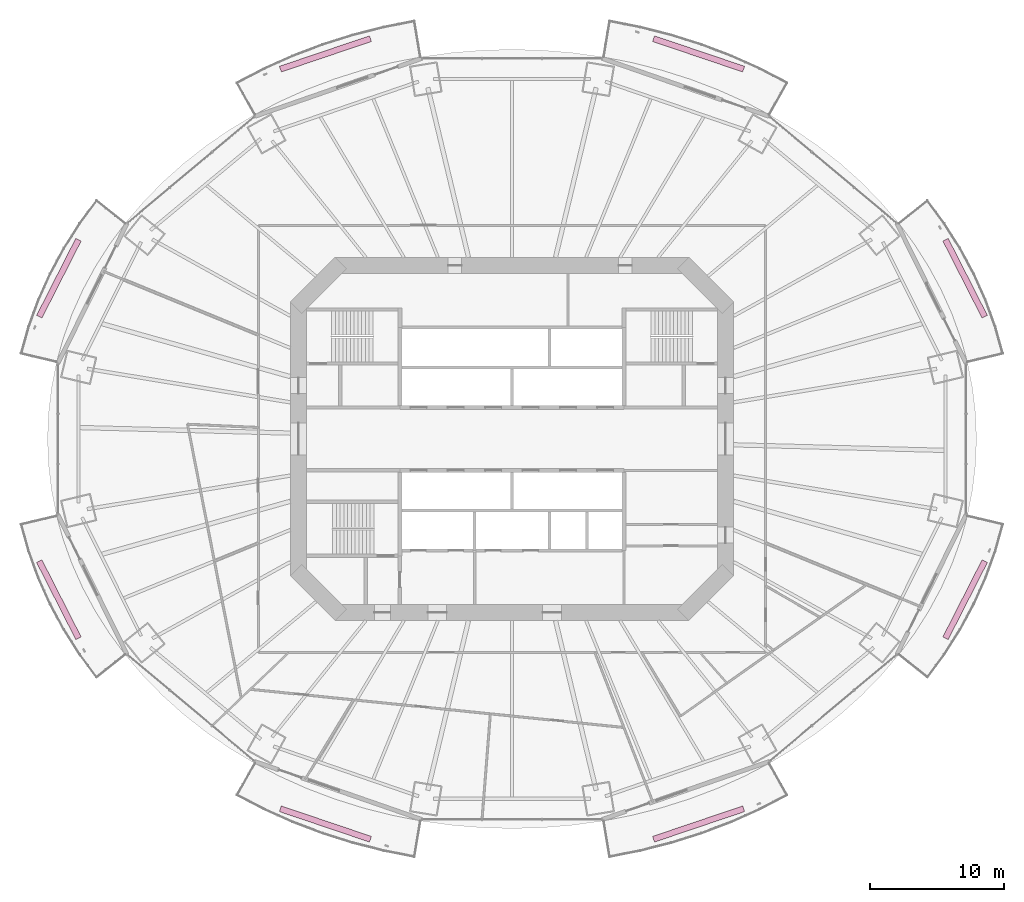
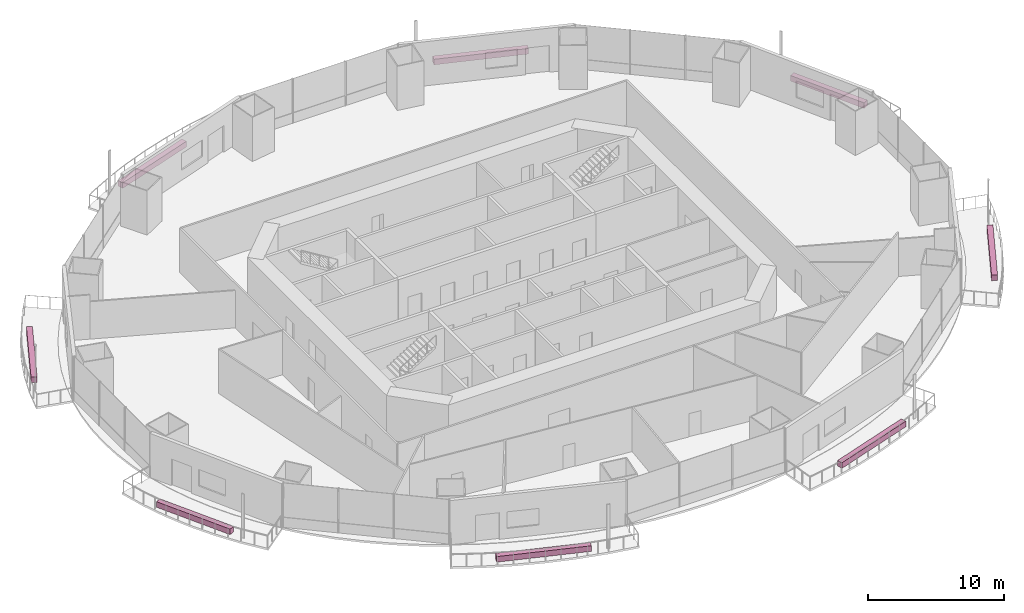
# One storey, part 22 of 22: 8 furnishings.
"""IFC4 building model written with IfcOpenShell, lengths in metres."""

from ifc_helpers import new_model, si_unit, direction, frame, origin, origin_2d, place, context, subcontext, project, spatial, rectangle, extrude, material, type_object, element, save


model = new_model("IFC4")

# Units and contexts
model_context = context("Model", 3, precision=1e-05, world=origin(), true_north=direction((0.0, 1.0)))
body_context = subcontext(model_context, "Body", "Model", "MODEL_VIEW")
ifc_project = project(units=[si_unit("LENGTHUNIT", "METRE"), si_unit("AREAUNIT", "SQUARE_METRE"), si_unit("VOLUMEUNIT", "CUBIC_METRE"), si_unit("PLANEANGLEUNIT", "RADIAN"), si_unit("MASSUNIT", "GRAM", prefix="KILO")], contexts=[model_context])

# Site, building, storey
site_placement = place(None, origin())
site = spatial("IfcSite", under=ifc_project, at=site_placement, CompositionType="ELEMENT")
building_placement = place(site_placement, origin())
building = spatial("IfcBuilding", under=site, at=building_placement, Name="Marenthal Gate Tower", CompositionType="ELEMENT")
storey_placement = place(building_placement, frame((0.0, 0.0, 99.39990234375)))
storey = spatial("IfcBuildingStorey", under=building, at=storey_placement, Name="L20", CompositionType="ELEMENT", Elevation=99.39990234375)

# Furnishings
ifc_material = material(Name="Planting soil and foliage", Category="planting")
furnishing_element_type = type_object("IfcFurnishingElementType", Name="Balcony PLANTER trough", material=ifc_material)
furnishing_1_placement = place(storey_placement, frame((33.932861328125, 12.038818359375, -0.039794921875), z_axis=(0.0, 0.0, 1.0), x_axis=(-0.453646324581, 0.891181806476, 0.0)))
element("IfcFurnishingElement", 1, at=furnishing_1_placement, inside=storey, type_object=furnishing_element_type, Name="Balcony PLANTER L20 bay 1", ObjectType="PLANTER", context=body_context, shape_type="SweptSolid", body=[
    extrude(rectangle(XDim=6.4755859375, YDim=0.449951171875, at=origin_2d()), origin(), (0.0, 0.0, 1.0), 0.5),
])
for number, where, z_axis, x_axis, name in (
    (2, (13.9736328125, 28.834716796875, -0.039794921875), (0.0, 0.0, 1.0), (-0.947306804178, 0.320327674043, 0.0), "Balcony PLANTER L20 bay 3"),
    (3, (-13.9736328125, 28.834716796875, -0.039794921875), (0.0, 0.0, 1.0), (-0.947306804178, -0.320327674043, 0.0), "Balcony PLANTER L20 bay 5"),
):
    element("IfcFurnishingElement", number, at=place(storey_placement, frame(where, z_axis=z_axis, x_axis=x_axis)), inside=storey, type_object=furnishing_element_type, Name=name, ObjectType="PLANTER", context=body_context, shape_type="SweptSolid", body=[
        extrude(rectangle(XDim=7.118896484375, YDim=0.449951171875, at=origin_2d()), origin(), (0.0, 0.0, 1.0), 0.5),
    ])
for number, where, z_axis, x_axis, name in (
    (4, (-33.932861328125, 12.038818359375, -0.039794921875), (0.0, 0.0, 1.0), (-0.453646324581, -0.891181806476, 0.0), "Balcony PLANTER L20 bay 7"),
    (5, (-33.932861328125, -12.038818359375, -0.039794921875), (0.0, 0.0, 1.0), (0.453646324581, -0.891181806476, 0.0), "Balcony PLANTER L20 bay 9"),
):
    element("IfcFurnishingElement", number, at=place(storey_placement, frame(where, z_axis=z_axis, x_axis=x_axis)), inside=storey, type_object=furnishing_element_type, Name=name, ObjectType="PLANTER", context=body_context, shape_type="SweptSolid", body=[
        extrude(rectangle(XDim=6.4755859375, YDim=0.449951171875, at=origin_2d()), origin(), (0.0, 0.0, 1.0), 0.5),
    ])
for number, where, z_axis, x_axis, name in (
    (6, (-13.9736328125, -28.834716796875, -0.039794921875), (0.0, 0.0, 1.0), (0.947306804178, -0.320327674043, 0.0), "Balcony PLANTER L20 bay 11"),
    (7, (13.9736328125, -28.834716796875, -0.039794921875), (0.0, 0.0, 1.0), (0.947306804178, 0.320327674043, 0.0), "Balcony PLANTER L20 bay 13"),
):
    element("IfcFurnishingElement", number, at=place(storey_placement, frame(where, z_axis=z_axis, x_axis=x_axis)), inside=storey, type_object=furnishing_element_type, Name=name, ObjectType="PLANTER", context=body_context, shape_type="SweptSolid", body=[
        extrude(rectangle(XDim=7.118896484375, YDim=0.449951171875, at=origin_2d()), origin(), (0.0, 0.0, 1.0), 0.5),
    ])
furnishing_2_placement = place(storey_placement, frame((33.932861328125, -12.038818359375, -0.039794921875), z_axis=(0.0, 0.0, 1.0), x_axis=(0.453646324581, 0.891181806476, 0.0)))
element("IfcFurnishingElement", 8, at=furnishing_2_placement, inside=storey, type_object=furnishing_element_type, Name="Balcony PLANTER L20 bay 15", ObjectType="PLANTER", context=body_context, shape_type="SweptSolid", body=[
    extrude(rectangle(XDim=6.4755859375, YDim=0.449951171875, at=origin_2d()), origin(), (0.0, 0.0, 1.0), 0.5),
])

save(model, "model.ifc")
